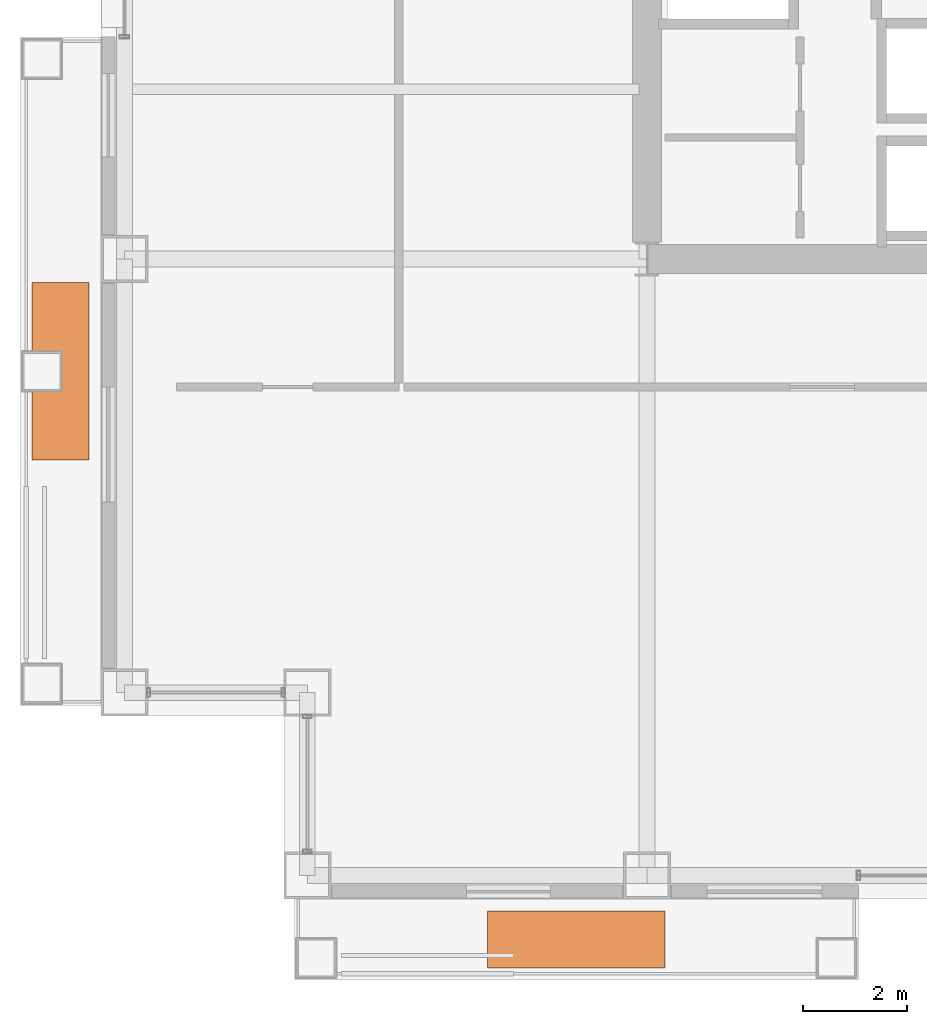
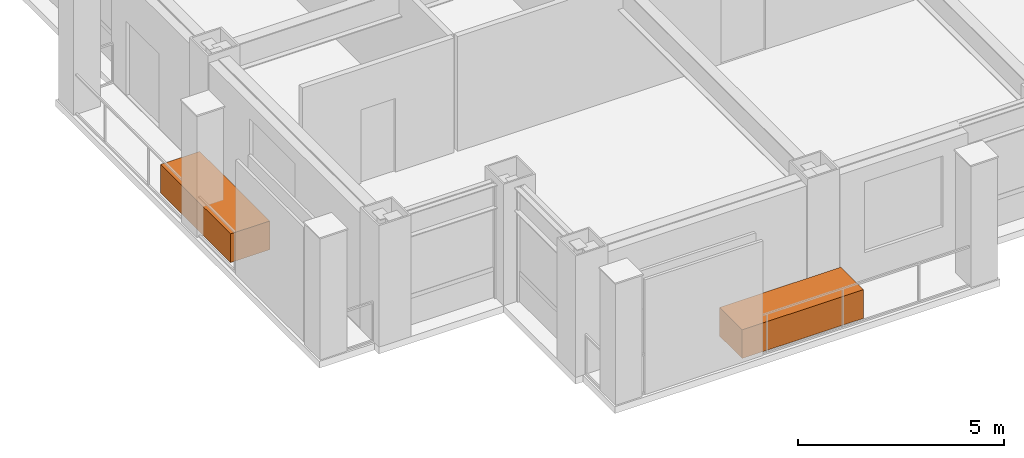
# One storey, part 29 of 29: 2 proxies.
"""IFC4 building model written with IfcOpenShell, lengths in metres."""

from ifc_helpers import new_model, si_unit, direction, frame, origin, origin_2d, place, context, subcontext, project, spatial, rectangle, extrude, material, type_object, element, save


model = new_model("IFC4")

# Units and contexts
model_context = context("Model", 3, precision=1e-05, world=origin(), true_north=direction((0.0, 1.0)))
body_context = subcontext(model_context, "Body", "Model", "MODEL_VIEW")
ifc_project = project(units=[si_unit("LENGTHUNIT", "METRE"), si_unit("AREAUNIT", "SQUARE_METRE"), si_unit("VOLUMEUNIT", "CUBIC_METRE"), si_unit("PLANEANGLEUNIT", "RADIAN"), si_unit("MASSUNIT", "GRAM", prefix="KILO")], contexts=[model_context])

# Site, building, storey
site_placement = place(None, origin())
site = spatial("IfcSite", under=ifc_project, at=site_placement, CompositionType="ELEMENT")
building_placement = place(site_placement, origin())
building = spatial("IfcBuilding", under=site, at=building_placement, Name="Brelmoor Portico Tower", CompositionType="ELEMENT")
storey_placement = place(building_placement, frame((0.0, 0.0, 67.199951171875)))
storey = spatial("IfcBuildingStorey", under=building, at=storey_placement, Name="L17", CompositionType="ELEMENT", Elevation=67.199951171875)

# Proxies
ifc_material = material(Name="Architectural Precast Concrete C40", Category="concrete")
building_element_proxy_type = type_object("IfcBuildingElementProxyType", Name="TREE PLANTER", PredefinedType="USERDEFINED", material=ifc_material)
for number, where, z_axis, x_axis, name in (
    (1, (-25.77490234375, -11.89990234375, 0.0), (0.0, 0.0, 1.0), (0.0, 1.0, 0.0), "L17 Planted Tree Planter W"),
    (2, (-15.89990234375, -22.77490234375, 0.0), (0.0, 0.0, 1.0), (1.0, 0.0, 0.0), "L17 Planted Tree Planter S"),
):
    element("IfcBuildingElementProxy", number, at=place(storey_placement, frame(where, z_axis=z_axis, x_axis=x_axis)), inside=storey, type_object=building_element_proxy_type, Name=name, ObjectType="PLANTER", PredefinedType="USERDEFINED", context=body_context, shape_type="SweptSolid", body=[
        extrude(rectangle(XDim=3.39990234375, YDim=1.10009765625, at=origin_2d()), origin(), (0.0, 0.0, 1.0), 0.85009765625),
    ])

save(model, "model.ifc")
